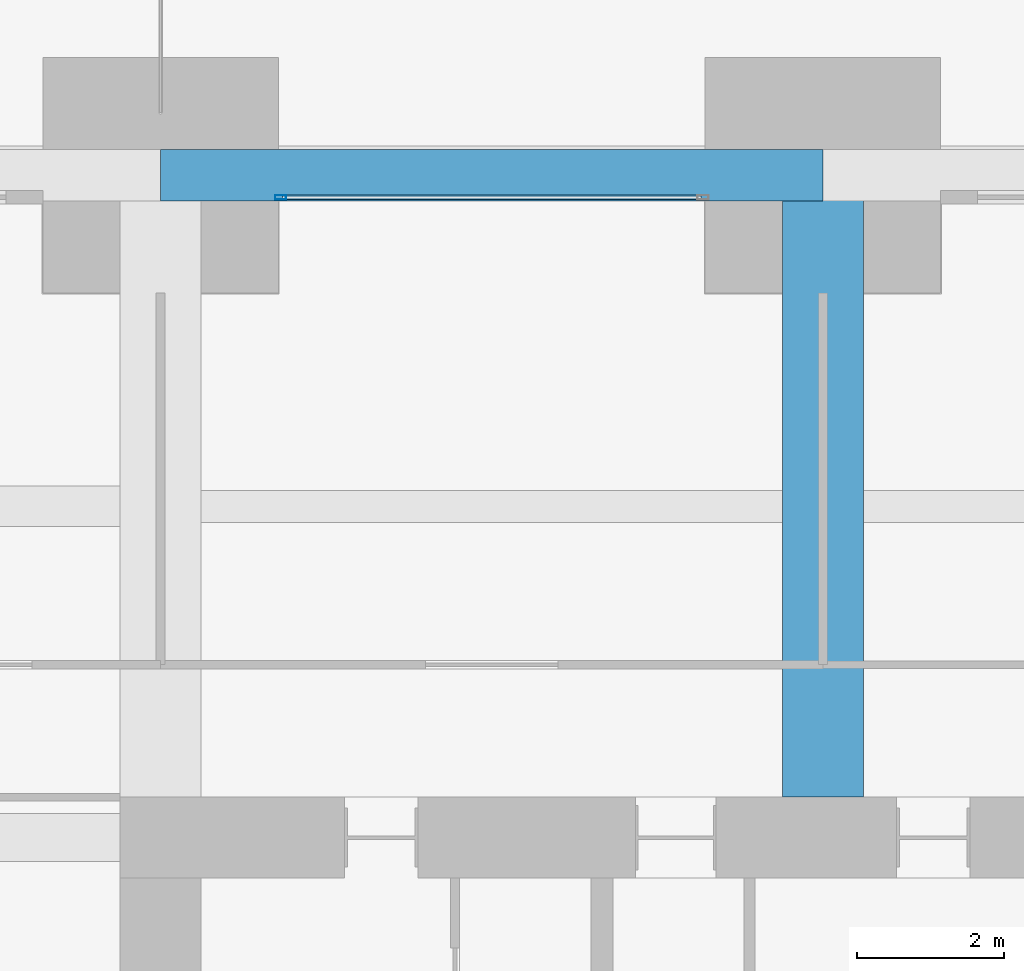
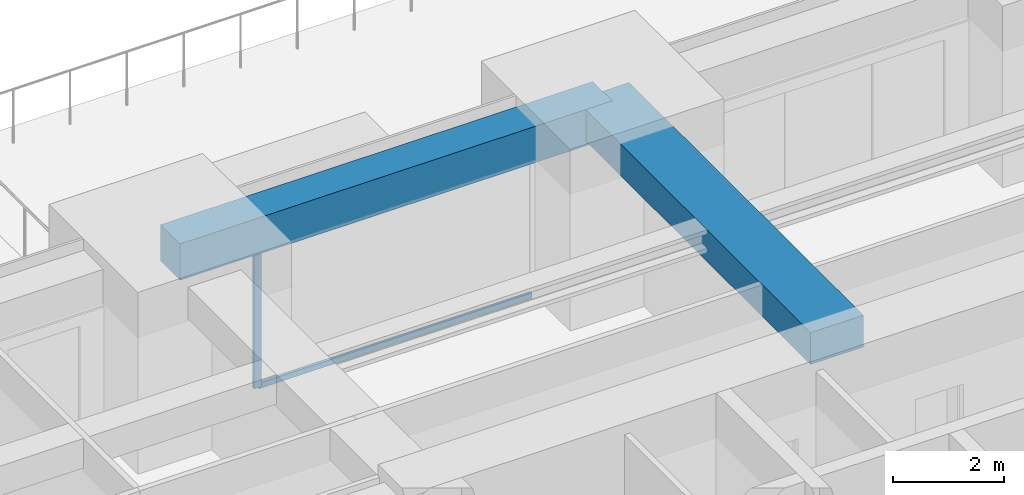
# One storey, part 28 of 50: 2 beams, 2 members, 1 element without a shape of its own.
"""IFC4 building model written with IfcOpenShell, lengths in metres."""

import ifcopenshell
import ifcopenshell.guid

model = None  # the IFC model being written
_history = None  # IfcOwnerHistory: only IFC2X3 demands one
_inside = {}  # id of a spatial element -> (the spatial element, [elements in it])
_under = {}  # id of a project, library or spatial element -> (it, [spatial elements below it])
_declared = {}  # id of a project -> (the project, [libraries it declares])
_typed = {}  # id of a type object -> (the type object, [elements of that type])
_made_of = {}  # id of a material, layer set ... -> (it, [elements and type objects made of it])


def new_model(schema):
    """Start an empty IFC model of exactly this schema.

    Asked for "IFC4X3", IfcOpenShell would pick the latest addendum, in which some entities
    have other attributes; the version numbers below select the first issue.
    IFC2X3 requires an IfcOwnerHistory on every rooted entity: one is made here for all.
    """
    global model, _history
    if schema == "IFC4X3":
        model = ifcopenshell.file(schema_version=(4, 3, 0, 0))
    else:
        model = ifcopenshell.file(schema=schema)
    _inside.clear()
    _under.clear()
    _declared.clear()
    _typed.clear()
    _made_of.clear()
    _history = None
    if model.schema == "IFC2X3":
        org = make("IfcOrganization", Name="unknown")
        user = make(
            "IfcPersonAndOrganization",
            ThePerson=make("IfcPerson", FamilyName="unknown"),
            TheOrganization=org,
        )
        app = make(
            "IfcApplication",
            ApplicationDeveloper=org,
            Version="unknown",
            ApplicationFullName="unknown",
            ApplicationIdentifier="unknown",
        )
        _history = make(
            "IfcOwnerHistory",
            OwningUser=user,
            OwningApplication=app,
            ChangeAction="ADDED",
            CreationDate=0,
        )
    return model


def make(cls, **values):
    """One entity of the class cls with the attributes given. An attribute that is None is left unset."""
    return model.create_entity(
        cls, **{name: value for name, value in values.items() if value is not None}
    )


def rooted(cls, **values):
    """An entity with a GlobalId (a new one), such as an element, a storey or a relation."""
    return make(cls, GlobalId=ifcopenshell.guid.new(), OwnerHistory=_history, **values)


def si_unit(unit_type, name, prefix=None):
    """IfcSIUnit, for example si_unit("LENGTHUNIT", "METRE", prefix="MILLI")."""
    return make("IfcSIUnit", UnitType=unit_type, Prefix=prefix, Name=name)


def assignment(units):
    """IfcUnitAssignment: the units of a project."""
    return None if units is None else make("IfcUnitAssignment", Units=units)


def point(xyz):
    """IfcCartesianPoint."""
    return None if xyz is None else make("IfcCartesianPoint", Coordinates=xyz)


def direction(xyz):
    """IfcDirection."""
    return None if xyz is None else make("IfcDirection", DirectionRatios=xyz)


def frame(location, z_axis=None, x_axis=None):
    """IfcAxis2Placement3D, a coordinate frame: its origin and axes. An axis left out is left unset."""
    return make(
        "IfcAxis2Placement3D",
        Location=point(location),
        Axis=direction(z_axis),
        RefDirection=direction(x_axis),
    )


def frame_2d(location, x_axis=None):
    """IfcAxis2Placement2D, a coordinate frame in the plane: its origin and x axis."""
    return make(
        "IfcAxis2Placement2D", Location=point(location), RefDirection=direction(x_axis)
    )


def origin():
    """The frame at (0, 0, 0) with its axes left unset."""
    return frame((0.0, 0.0, 0.0))


def origin_2d():
    """The frame at (0, 0) in the plane with its x axis left unset."""
    return frame_2d((0.0, 0.0))


def place(relative_to, where):
    """IfcLocalPlacement: puts the frame where relative to a parent placement (None: the world)."""
    return make(
        "IfcLocalPlacement", PlacementRelTo=relative_to, RelativePlacement=where
    )


def context(
    kind, dimensions, precision=None, world=None, true_north=None, identifier=None
):
    """IfcGeometricRepresentationContext, for example the 3D "Model" context."""
    return make(
        "IfcGeometricRepresentationContext",
        ContextIdentifier=identifier,
        ContextType=kind,
        CoordinateSpaceDimension=dimensions,
        Precision=precision,
        WorldCoordinateSystem=world,
        TrueNorth=true_north,
    )


def subcontext(parent, identifier, kind, view, scale=None):
    """IfcGeometricRepresentationSubContext, for example "Body" below "Model"."""
    return make(
        "IfcGeometricRepresentationSubContext",
        ContextIdentifier=identifier,
        ContextType=kind,
        ParentContext=parent,
        TargetScale=scale,
        TargetView=view,
    )


def project(units=None, contexts=None):
    """IfcProject with its units and contexts."""
    return rooted(
        "IfcProject",
        Name="project",
        RepresentationContexts=contexts,
        UnitsInContext=assignment(units),
    )


def spatial(cls, under=None, at=None, **own):
    """A site, building, storey or space (cls), placed at a placement, below another one or the project."""
    s = rooted(cls, ObjectPlacement=at, **own)
    if under is not None:
        _under.setdefault(under.id(), (under, []))[1].append(s)
    return s


def profile(cls, at=None, kind="AREA", **sizes):
    """A parametric profile (cls). Its sizes go by their IFC names, for example OverallWidth=200.0."""
    return make(cls, ProfileType=kind, Position=at, **sizes)


def rectangle(**sizes):
    """IfcRectangleProfileDef."""
    return profile("IfcRectangleProfileDef", **sizes)


def hollow_rectangle(**sizes):
    """IfcRectangleHollowProfileDef."""
    return profile("IfcRectangleHollowProfileDef", **sizes)


def extrude(swept, where, along, depth):
    """IfcExtrudedAreaSolid: the profile swept, set in the frame where, extruded along a direction by depth."""
    return make(
        "IfcExtrudedAreaSolid",
        SweptArea=swept,
        Position=where,
        ExtrudedDirection=direction(along),
        Depth=depth,
    )


def shape(context_of_items, identifier, shape_type, items):
    """IfcShapeRepresentation: the items that make up one representation, for example the "Body"."""
    return make(
        "IfcShapeRepresentation",
        ContextOfItems=context_of_items,
        RepresentationIdentifier=identifier,
        RepresentationType=shape_type,
        Items=items,
    )


def material(Name=None, Category=None):
    """IfcMaterial."""
    return make("IfcMaterial", Name=Name, Category=Category)


def material_profile(
    of_material, cross_section, Name=None, Category=None, Priority=None
):
    """IfcMaterialProfile: a cross section and its material."""
    return make(
        "IfcMaterialProfile",
        Name=Name,
        Material=of_material,
        Profile=cross_section,
        Priority=Priority,
        Category=Category,
    )


def profile_set(profiles, Name=None, composite=None):
    """IfcMaterialProfileSet."""
    return make(
        "IfcMaterialProfileSet",
        Name=Name,
        MaterialProfiles=profiles,
        CompositeProfile=composite,
    )


def made_of(thing, what):
    """Note that an element or type object is made of a material, layer set ...; save() writes the relation."""
    if what is not None:
        _made_of.setdefault(what.id(), (what, []))[1].append(thing)
    return thing


def type_object(cls, material=None, **own):
    """A type object (cls), such as IfcWallType, which elements share."""
    return made_of(rooted(cls, **own), material)


def element(
    cls,
    number,
    at=None,
    inside=None,
    cuts=None,
    type_object=None,
    material=None,
    context=None,
    identifier="Body",
    shape_type=None,
    held_by="IfcProductDefinitionShape",
    body=None,
    shapes=None,
    **own,
):
    """One element of the class cls, such as IfcWall. Its Tag is "e" and its number.

    at: its placement. inside: the storey or other place that contains it. cuts: it is an
    opening in that element (IfcRelVoidsElement). A single representation is given by context,
    identifier, shape_type and body (its items); several are given by shapes. held_by: the class
    of the entity that holds the representations. save() writes the other relations.
    """
    e = rooted(cls, Tag="e%d" % number, ObjectPlacement=at, **own)
    if body is not None:
        shapes = [shape(context, identifier, shape_type, body)]
    if shapes is not None:
        e.Representation = make(held_by, Representations=shapes)
    if inside is not None:
        _inside.setdefault(inside.id(), (inside, []))[1].append(e)
    if cuts is not None:
        rooted(
            "IfcRelVoidsElement", RelatingBuildingElement=cuts, RelatedOpeningElement=e
        )
    if type_object is not None:
        _typed.setdefault(type_object.id(), (type_object, []))[1].append(e)
    return made_of(e, material)


def aggregate(whole, parts):
    """IfcRelAggregates: a whole, such as a stair, and the parts it consists of."""
    return rooted("IfcRelAggregates", RelatingObject=whole, RelatedObjects=parts)


def save(model, path):
    """Write the relations noted so far, then the file.

    IfcRelAggregates (storeys below a building ...), IfcRelContainedInSpatialStructure (elements
    in a storey), IfcRelDefinesByType, IfcRelAssociatesMaterial and IfcRelDeclares: one each for
    every whole, place, type object, material and project.
    """
    for whole, parts in _under.values():
        aggregate(whole, parts)
    for where, things in _inside.values():
        rooted(
            "IfcRelContainedInSpatialStructure",
            RelatedElements=things,
            RelatingStructure=where,
        )
    for kind, things in _typed.values():
        rooted("IfcRelDefinesByType", RelatedObjects=things, RelatingType=kind)
    for what, things in _made_of.values():
        rooted("IfcRelAssociatesMaterial", RelatedObjects=things, RelatingMaterial=what)
    for by, libraries in _declared.values():
        rooted("IfcRelDeclares", RelatingContext=by, RelatedDefinitions=libraries)
    model.write(path)


model = new_model("IFC4")

# Units and contexts
model_context = context("Model", 3, precision=1e-05, world=origin(), true_north=direction((0.0, 1.0)))
body_context = subcontext(model_context, "Body", "Model", "MODEL_VIEW")
ifc_project = project(units=[si_unit("LENGTHUNIT", "METRE"), si_unit("AREAUNIT", "SQUARE_METRE"), si_unit("VOLUMEUNIT", "CUBIC_METRE"), si_unit("PLANEANGLEUNIT", "RADIAN"), si_unit("MASSUNIT", "GRAM", prefix="KILO")], contexts=[model_context])

# Site, building, storey
site_placement = place(None, origin())
site = spatial("IfcSite", under=ifc_project, at=site_placement, CompositionType="ELEMENT")
building_placement = place(site_placement, origin())
building = spatial("IfcBuilding", under=site, at=building_placement, Name="Zorevar Civic Tower", CompositionType="ELEMENT")
storey_placement = place(building_placement, frame((0.0, 0.0, 85.0)))
storey = spatial("IfcBuildingStorey", under=building, at=storey_placement, Name="L20", CompositionType="ELEMENT", Elevation=85.0)

# Beam
ifc_material_1 = material(Name="Concrete C50/60", Category="concrete")
ifc_material_profile_1 = material_profile(ifc_material_1, rectangle(XDim=1.10009765625, YDim=0.699951171875, at=origin_2d()), Name="RC 1100x700")
ifc_profile_set_1 = profile_set([ifc_material_profile_1], Name="Concrete C50/60")
beam_type_1 = type_object("IfcBeamType", Name="Beam RC 1100x700", PredefinedType="BEAM", material=ifc_profile_set_1)
beam_1_placement = place(storey_placement, frame((27.0, 36.550048828125, 3.39990234375), z_axis=(0.0, 1.0, 0.0), x_axis=(-1.0, 0.0, 0.0)))
element("IfcBeam", 1, at=beam_1_placement, inside=storey, type_object=beam_type_1, Name="Girder L21", PredefinedType="BEAM", context=body_context, shape_type="SweptSolid", body=[
    extrude(rectangle(XDim=1.10009765625, YDim=0.699951171875, at=origin_2d()), origin(), (0.0, 0.0, 1.0), 8.449951171875),
])

# Curtain wall, members
ifc_material_2 = material(Name="Dark grey solar-control glass in black aluminium frame", Category="aluminium")
curtain_wall_type = type_object("IfcCurtainWallType", Name="Curtain wall CW3 mid zone", PredefinedType="NOTDEFINED", material=ifc_material_2)
curtain_wall_placement = place(storey_placement, origin())
curtain_wall = element("IfcCurtainWall", 2, at=curtain_wall_placement, inside=storey, type_object=curtain_wall_type, Name="CW3 L20", PredefinedType="NOTDEFINED")
ifc_material_3 = material(Name="Aluminium, black anodised", Category="aluminium")
ifc_material_profile_2 = material_profile(ifc_material_3, hollow_rectangle(XDim=0.06005859375, YDim=0.14990234375, WallThickness=0.00390625, at=origin_2d()), Name="AL 150x60x4")
ifc_profile_set_2 = profile_set([ifc_material_profile_2], Name="Aluminium, black anodised")
member_type_1 = type_object("IfcMemberType", Name="CW3 mullion AL 150x60x4", PredefinedType="MULLION", material=ifc_profile_set_2)
member_1_placement = place(storey_placement, frame((19.6298828125, 44.699951171875, 0.0), z_axis=(0.0, 0.0, 1.0), x_axis=(0.0, 1.0, 0.0)))
member_1 = element("IfcMember", 3, at=member_1_placement, type_object=member_type_1, Name="CW3 mullion 1", PredefinedType="MULLION", context=body_context, shape_type="SweptSolid", body=[
    extrude(hollow_rectangle(XDim=0.06005859375, YDim=0.14990234375, WallThickness=0.00390625, at=origin_2d()), origin(), (0.0, 0.0, 1.0), 2.949951171875),
])
ifc_material_4 = material(Name="Aluminium, black anodised", Category="aluminium")
ifc_material_profile_3 = material_profile(ifc_material_4, hollow_rectangle(XDim=0.06005859375, YDim=0.1201171875, WallThickness=0.0029296875, at=origin_2d()), Name="AL 120x60x3")
ifc_profile_set_3 = profile_set([ifc_material_profile_3], Name="Aluminium, black anodised")
member_type_2 = type_object("IfcMemberType", Name="CW3 transom AL 120x60x3", PredefinedType="USERDEFINED", material=ifc_profile_set_3)
member_2_placement = place(storey_placement, frame((19.659912109375, 44.699951171875, 0.030029296875), z_axis=(1.0, 0.0, 0.0), x_axis=(0.0, 1.0, 0.0)))
member_2 = element("IfcMember", 4, at=member_2_placement, type_object=member_type_2, Name="CW3 sill transom", ObjectType="TRANSOM", PredefinedType="USERDEFINED", context=body_context, shape_type="SweptSolid", body=[
    extrude(hollow_rectangle(XDim=0.06005859375, YDim=0.1201171875, WallThickness=0.0029296875, at=origin_2d()), origin(), (0.0, 0.0, 1.0), 5.68017578125),
])
aggregate(curtain_wall, [member_1, member_2])

# Beam
ifc_material_5 = material(Name="Concrete C50/60", Category="concrete")
ifc_material_profile_4 = material_profile(ifc_material_5, rectangle(XDim=0.699951171875, YDim=0.800048828125, at=origin_2d()), Name="RC 700x800")
ifc_profile_set_4 = profile_set([ifc_material_profile_4], Name="Concrete C50/60")
beam_type_2 = type_object("IfcBeamType", Name="Edge beam RC 700x800", PredefinedType="SPANDREL", material=ifc_profile_set_4)
beam_2_placement = place(storey_placement, frame((18.0, 45.0, 3.35009765625), z_axis=(1.0, 0.0, 0.0), x_axis=(0.0, 1.0, 0.0)))
element("IfcBeam", 5, at=beam_2_placement, inside=storey, type_object=beam_type_2, Name="Edge beam L21", PredefinedType="SPANDREL", context=body_context, shape_type="SweptSolid", body=[
    extrude(rectangle(XDim=0.699951171875, YDim=0.800048828125, at=origin_2d()), origin(), (0.0, 0.0, 1.0), 9.0),
])

save(model, "model.ifc")
